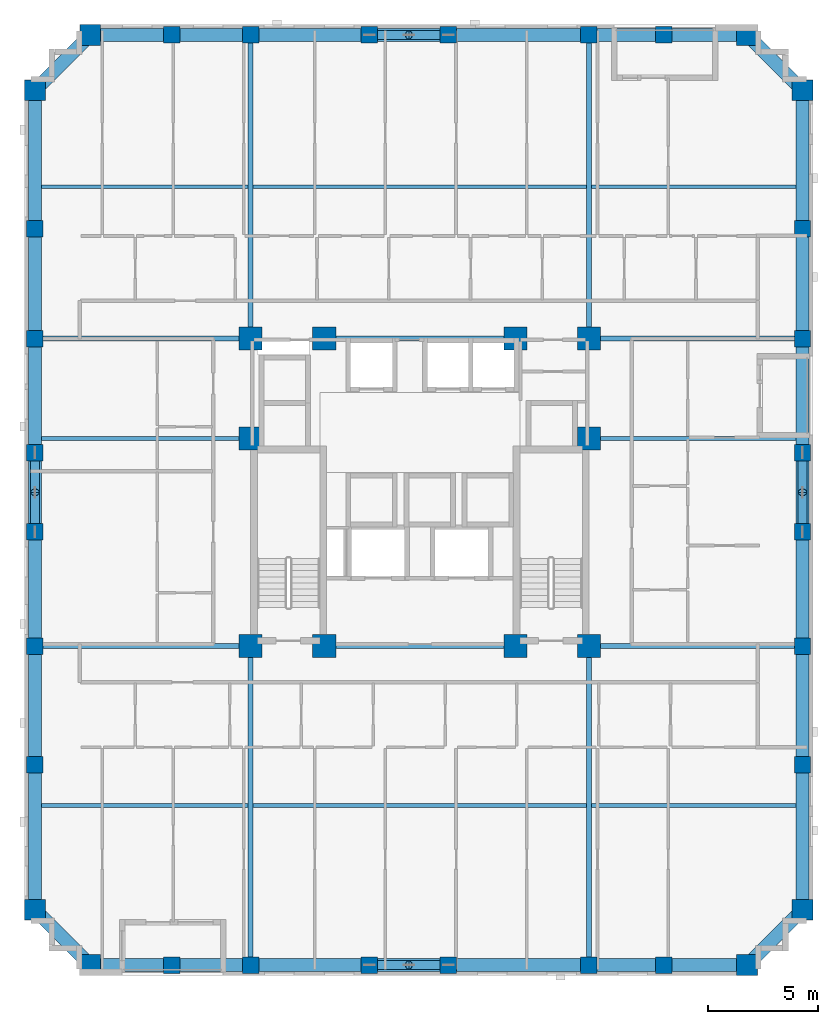
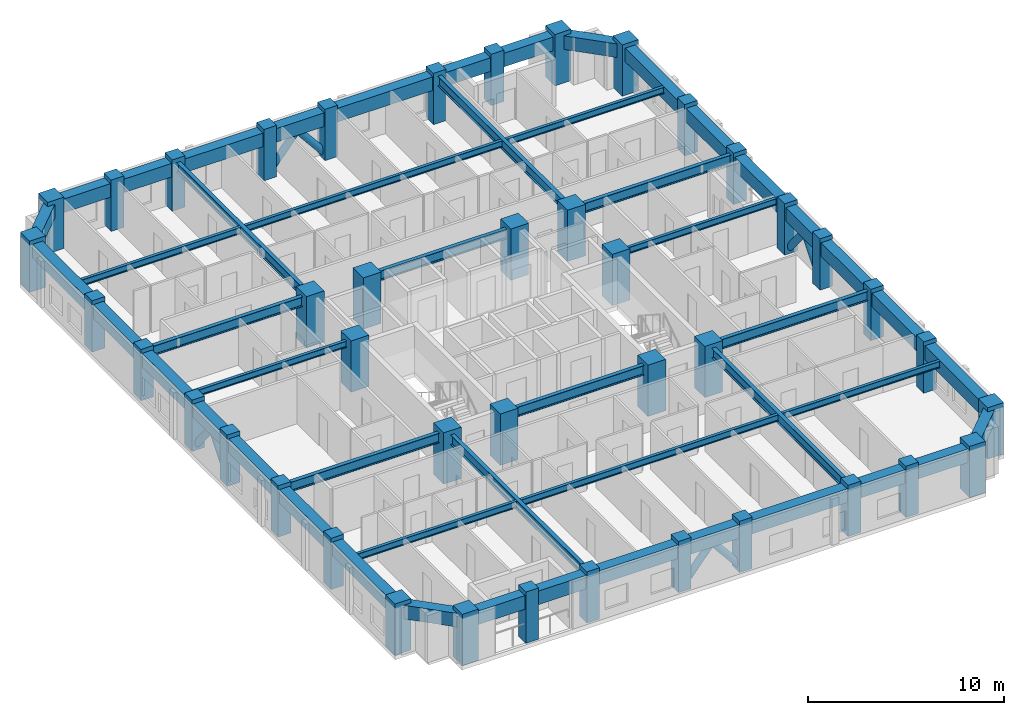
# One storey, part 1 of 13: 50 beams, 42 columns, 8 members.
"""IFC4 building model written with IfcOpenShell, lengths in metres."""

from ifc_helpers import new_model, si_unit, derived_unit, direction, frame, origin, origin_2d, place, context, subcontext, project, spatial, rectangle, hollow_circle, i_section, extrude, material, material_profile, profile_set, type_object, element, save


model = new_model("IFC4")

# Units and contexts
model_context = context("Model", 3, precision=1e-05, world=origin(), true_north=direction((0.0, 1.0)))
body_context = subcontext(model_context, "Body", "Model", "MODEL_VIEW")
ifc_project = project(units=[si_unit("LENGTHUNIT", "METRE"), si_unit("AREAUNIT", "SQUARE_METRE"), si_unit("VOLUMEUNIT", "CUBIC_METRE"), si_unit("PLANEANGLEUNIT", "RADIAN"), si_unit("MASSUNIT", "GRAM", prefix="KILO"), derived_unit("THERMALTRANSMITTANCEUNIT", [(si_unit("MASSUNIT", "GRAM", prefix="KILO"), 1), (si_unit("TIMEUNIT", "SECOND"), -3), (si_unit("THERMODYNAMICTEMPERATUREUNIT", "KELVIN"), -1)])], contexts=[model_context])

# Site, building, storey
site_placement = place(None, origin())
site = spatial("IfcSite", under=ifc_project, at=site_placement, CompositionType="ELEMENT")
building_placement = place(site_placement, origin())
building = spatial("IfcBuilding", under=site, at=building_placement, Name="Korrvale Station Residences", CompositionType="ELEMENT")
storey_placement = place(building_placement, frame((0.0, 0.0, 100.699951171875)))
storey = spatial("IfcBuildingStorey", under=building, at=storey_placement, Name="L28", CompositionType="ELEMENT", Elevation=100.699951171875)

# Columns
ifc_material_1 = material(Name="Concrete C60/75", Category="concrete")
ifc_material_profile_1 = material_profile(ifc_material_1, rectangle(XDim=1.050048828125, YDim=1.050048828125, at=origin_2d()), Name="RC1050x1050")
ifc_profile_set_1 = profile_set([ifc_material_profile_1], Name="Concrete C60/75")
column_type_1 = type_object("IfcColumnType", Name="COL-C-RC1050x1050-C6075", PredefinedType="COLUMN", material=ifc_profile_set_1)
for number, where, z_axis, x_axis, name in (
    (1, (17.800048828125, 15.0, 0.0), (0.0, 0.0, 1.0), (1.0, 0.0, 0.0), "L28 Core Column 01"),
    (2, (21.14990234375, 15.0, 0.0), (0.0, 0.0, 1.0), (1.0, 0.0, 0.0), "L28 Core Column 02"),
    (3, (29.85009765625, 15.0, 0.0), (0.0, 0.0, 1.0), (1.0, 0.0, 0.0), "L28 Core Column 03"),
    (4, (33.199951171875, 15.0, 0.0), (0.0, 0.0, 1.0), (1.0, 0.0, 0.0), "L28 Core Column 04"),
    (5, (17.800048828125, 29.0, 0.0), (0.0, 0.0, 1.0), (1.0, 0.0, 0.0), "L28 Core Column 05"),
    (6, (21.14990234375, 29.0, 0.0), (0.0, 0.0, 1.0), (1.0, 0.0, 0.0), "L28 Core Column 06"),
    (7, (29.85009765625, 29.0, 0.0), (0.0, 0.0, 1.0), (1.0, 0.0, 0.0), "L28 Core Column 07"),
    (8, (33.199951171875, 29.0, 0.0), (0.0, 0.0, 1.0), (1.0, 0.0, 0.0), "L28 Core Column 08"),
    (9, (17.800048828125, 24.449951171875, 0.0), (0.0, 0.0, 1.0), (1.0, 0.0, 0.0), "L28 Core Column 09"),
    (10, (33.199951171875, 24.449951171875, 0.0), (0.0, 0.0, 1.0), (1.0, 0.0, 0.0), "L28 Core Column 10"),
):
    element("IfcColumn", number, at=place(storey_placement, frame(where, z_axis=z_axis, x_axis=x_axis)), inside=storey, type_object=column_type_1, Name=name, PredefinedType="COLUMN", context=body_context, shape_type="SweptSolid", body=[
        extrude(rectangle(XDim=1.050048828125, YDim=1.050048828125, at=origin_2d()), origin(), (0.0, 0.0, 1.0), 3.199951171875),
    ])
ifc_material_profile_2 = material_profile(ifc_material_1, rectangle(XDim=0.75, YDim=0.75, at=origin_2d()), Name="RC750x750")
ifc_profile_set_2 = profile_set([ifc_material_profile_2], Name="Concrete C60/75")
column_type_2 = type_object("IfcColumnType", Name="COL-C-RC750x750-C6075", PredefinedType="COLUMN", material=ifc_profile_set_2)
for number, where, z_axis, x_axis, name in (
    (11, (14.199951171875, 0.47998046875, 0.0), (0.0, 0.0, 1.0), (1.0, 0.0, 0.0), "L28 Bundled-Tube South Column 02"),
    (12, (17.800048828125, 0.47998046875, 0.0), (0.0, 0.0, 1.0), (1.0, 0.0, 0.0), "L28 Bundled-Tube South Column 03"),
    (13, (23.199951171875, 0.47998046875, 0.0), (0.0, 0.0, 1.0), (1.0, 0.0, 0.0), "L28 Bundled-Tube South Column 04"),
    (14, (26.800048828125, 0.47998046875, 0.0), (0.0, 0.0, 1.0), (1.0, 0.0, 0.0), "L28 Bundled-Tube South Column 05"),
    (15, (33.199951171875, 0.47998046875, 0.0), (0.0, 0.0, 1.0), (1.0, 0.0, 0.0), "L28 Bundled-Tube South Column 06"),
    (16, (36.60009765625, 0.47998046875, 0.0), (0.0, 0.0, 1.0), (1.0, 0.0, 0.0), "L28 Bundled-Tube South Column 07"),
    (17, (14.199951171875, 42.820068359375, 0.0), (0.0, 0.0, 1.0), (1.0, 0.0, 0.0), "L28 Bundled-Tube North Column 10"),
    (18, (17.800048828125, 42.820068359375, 0.0), (0.0, 0.0, 1.0), (1.0, 0.0, 0.0), "L28 Bundled-Tube North Column 11"),
    (19, (23.199951171875, 42.820068359375, 0.0), (0.0, 0.0, 1.0), (1.0, 0.0, 0.0), "L28 Bundled-Tube North Column 12"),
    (20, (26.800048828125, 42.820068359375, 0.0), (0.0, 0.0, 1.0), (1.0, 0.0, 0.0), "L28 Bundled-Tube North Column 13"),
    (21, (33.199951171875, 42.820068359375, 0.0), (0.0, 0.0, 1.0), (1.0, 0.0, 0.0), "L28 Bundled-Tube North Column 14"),
    (22, (36.60009765625, 42.820068359375, 0.0), (0.0, 0.0, 1.0), (1.0, 0.0, 0.0), "L28 Bundled-Tube North Column 15"),
    (23, (7.97998046875, 9.60009765625, 0.0), (0.0, 0.0, 1.0), (1.0, 0.0, 0.0), "L28 Bundled-Tube West Column 18"),
    (24, (7.97998046875, 15.0, 0.0), (0.0, 0.0, 1.0), (1.0, 0.0, 0.0), "L28 Bundled-Tube West Column 19"),
    (25, (7.97998046875, 20.199951171875, 0.0), (0.0, 0.0, 1.0), (1.0, 0.0, 0.0), "L28 Bundled-Tube West Column 20"),
    (26, (7.97998046875, 23.800048828125, 0.0), (0.0, 0.0, 1.0), (1.0, 0.0, 0.0), "L28 Bundled-Tube West Column 21"),
    (27, (7.97998046875, 29.0, 0.0), (0.0, 0.0, 1.0), (1.0, 0.0, 0.0), "L28 Bundled-Tube West Column 22"),
    (28, (7.97998046875, 34.0, 0.0), (0.0, 0.0, 1.0), (1.0, 0.0, 0.0), "L28 Bundled-Tube West Column 23"),
    (29, (42.919921875, 9.60009765625, 0.0), (0.0, 0.0, 1.0), (1.0, 0.0, 0.0), "L28 Bundled-Tube East Column 26"),
    (30, (42.919921875, 15.0, 0.0), (0.0, 0.0, 1.0), (1.0, 0.0, 0.0), "L28 Bundled-Tube East Column 27"),
    (31, (42.919921875, 20.199951171875, 0.0), (0.0, 0.0, 1.0), (1.0, 0.0, 0.0), "L28 Bundled-Tube East Column 28"),
    (32, (42.919921875, 23.800048828125, 0.0), (0.0, 0.0, 1.0), (1.0, 0.0, 0.0), "L28 Bundled-Tube East Column 29"),
    (33, (42.919921875, 29.0, 0.0), (0.0, 0.0, 1.0), (1.0, 0.0, 0.0), "L28 Bundled-Tube East Column 30"),
    (34, (42.919921875, 34.0, 0.0), (0.0, 0.0, 1.0), (1.0, 0.0, 0.0), "L28 Bundled-Tube East Column 31"),
):
    element("IfcColumn", number, at=place(storey_placement, frame(where, z_axis=z_axis, x_axis=x_axis)), inside=storey, type_object=column_type_2, Name=name, PredefinedType="COLUMN", context=body_context, shape_type="SweptSolid", body=[
        extrude(rectangle(XDim=0.75, YDim=0.75, at=origin_2d()), origin(), (0.0, 0.0, 1.0), 3.199951171875),
    ])
ifc_material_profile_3 = material_profile(ifc_material_1, rectangle(XDim=0.949951171875, YDim=0.949951171875, at=origin_2d()), Name="RC950x950")
ifc_profile_set_3 = profile_set([ifc_material_profile_3], Name="Concrete C60/75")
column_type_3 = type_object("IfcColumnType", Name="COL-C-RC950x950-C6075", PredefinedType="COLUMN", material=ifc_profile_set_3)
for number, where, z_axis, x_axis, name in (
    (35, (10.5, 0.47998046875, 0.0), (0.0, 0.0, 1.0), (1.0, 0.0, 0.0), "L28 Bundled-Tube South Column 01"),
    (36, (40.39990234375, 0.47998046875, 0.0), (0.0, 0.0, 1.0), (1.0, 0.0, 0.0), "L28 Bundled-Tube South Column 08"),
    (37, (10.5, 42.820068359375, 0.0), (0.0, 0.0, 1.0), (1.0, 0.0, 0.0), "L28 Bundled-Tube North Column 09"),
    (38, (40.39990234375, 42.820068359375, 0.0), (0.0, 0.0, 1.0), (1.0, 0.0, 0.0), "L28 Bundled-Tube North Column 16"),
    (39, (7.97998046875, 3.0, 0.0), (0.0, 0.0, 1.0), (1.0, 0.0, 0.0), "L28 Bundled-Tube West Column 17"),
    (40, (7.97998046875, 40.300048828125, 0.0), (0.0, 0.0, 1.0), (1.0, 0.0, 0.0), "L28 Bundled-Tube West Column 24"),
    (41, (42.919921875, 3.0, 0.0), (0.0, 0.0, 1.0), (1.0, 0.0, 0.0), "L28 Bundled-Tube East Column 25"),
    (42, (42.919921875, 40.300048828125, 0.0), (0.0, 0.0, 1.0), (1.0, 0.0, 0.0), "L28 Bundled-Tube East Column 32"),
):
    element("IfcColumn", number, at=place(storey_placement, frame(where, z_axis=z_axis, x_axis=x_axis)), inside=storey, type_object=column_type_3, Name=name, PredefinedType="COLUMN", context=body_context, shape_type="SweptSolid", body=[
        extrude(rectangle(XDim=0.949951171875, YDim=0.949951171875, at=origin_2d()), origin(), (0.0, 0.0, 1.0), 3.199951171875),
    ])

# Beams
ifc_material_2 = material(Name="Steel S355", Category="steel")
ifc_material_profile_4 = material_profile(ifc_material_2, i_section(OverallWidth=0.22900390625, OverallDepth=0.612060546875, WebThickness=0.011962890625, FlangeThickness=0.01953125, FilletRadius=0.01904296875, at=origin_2d()), Name="W610x125")
ifc_profile_set_4 = profile_set([ifc_material_profile_4], Name="Steel S355")
beam_type_1 = type_object("IfcBeamType", Name="BM-BM-W610x125-S355", PredefinedType="BEAM", material=ifc_profile_set_4)
for number, where, z_axis, x_axis, name in (
    (43, (17.800048828125, 0.47998046875, 2.634033203125), (0.0, 1.0, 0.0), (-1.0, 0.0, 0.0), "L28 Bundled-Tube Web Girder 01"),
    (44, (33.199951171875, 0.47998046875, 2.634033203125), (0.0, 1.0, 0.0), (-1.0, 0.0, 0.0), "L28 Bundled-Tube Web Girder 02"),
):
    element("IfcBeam", number, at=place(storey_placement, frame(where, z_axis=z_axis, x_axis=x_axis)), inside=storey, type_object=beam_type_1, Name=name, PredefinedType="BEAM", context=body_context, shape_type="SweptSolid", body=[
        extrude(i_section(OverallWidth=0.22900390625, OverallDepth=0.612060546875, WebThickness=0.011962890625, FlangeThickness=0.01953125, FilletRadius=0.01904296875, at=origin_2d()), origin(), (0.0, 0.0, 1.0), 14.52001953125),
    ])
for number, where, z_axis, x_axis, name in (
    (45, (17.800048828125, 29.0, 2.634033203125), (0.0, 1.0, 0.0), (-1.0, 0.0, 0.0), "L28 Bundled-Tube Web Girder 03"),
    (46, (33.199951171875, 29.0, 2.634033203125), (0.0, 1.0, 0.0), (-1.0, 0.0, 0.0), "L28 Bundled-Tube Web Girder 04"),
):
    element("IfcBeam", number, at=place(storey_placement, frame(where, z_axis=z_axis, x_axis=x_axis)), inside=storey, type_object=beam_type_1, Name=name, PredefinedType="BEAM", context=body_context, shape_type="SweptSolid", body=[
        extrude(i_section(OverallWidth=0.22900390625, OverallDepth=0.612060546875, WebThickness=0.011962890625, FlangeThickness=0.01953125, FilletRadius=0.01904296875, at=origin_2d()), origin(), (0.0, 0.0, 1.0), 13.820068359375),
    ])
beam_1_placement = place(storey_placement, frame((7.97998046875, 15.0, 2.634033203125), z_axis=(1.0, 0.0, 0.0), x_axis=(0.0, 1.0, 0.0)))
element("IfcBeam", 47, at=beam_1_placement, inside=storey, type_object=beam_type_1, Name="L28 Bundled-Tube Web Girder 05", PredefinedType="BEAM", context=body_context, shape_type="SweptSolid", body=[
    extrude(i_section(OverallWidth=0.22900390625, OverallDepth=0.612060546875, WebThickness=0.011962890625, FlangeThickness=0.01953125, FilletRadius=0.01904296875, at=origin_2d()), origin(), (0.0, 0.0, 1.0), 9.820068359375),
])
beam_2_placement = place(storey_placement, frame((33.199951171875, 15.0, 2.634033203125), z_axis=(1.0, 0.0, 0.0), x_axis=(0.0, 1.0, 0.0)))
element("IfcBeam", 48, at=beam_2_placement, inside=storey, type_object=beam_type_1, Name="L28 Bundled-Tube Web Girder 06", PredefinedType="BEAM", context=body_context, shape_type="SweptSolid", body=[
    extrude(i_section(OverallWidth=0.22900390625, OverallDepth=0.612060546875, WebThickness=0.011962890625, FlangeThickness=0.01953125, FilletRadius=0.01904296875, at=origin_2d()), origin(), (0.0, 0.0, 1.0), 9.719970703125),
])
beam_3_placement = place(storey_placement, frame((7.97998046875, 29.0, 2.634033203125), z_axis=(1.0, 0.0, 0.0), x_axis=(0.0, 1.0, 0.0)))
element("IfcBeam", 49, at=beam_3_placement, inside=storey, type_object=beam_type_1, Name="L28 Bundled-Tube Web Girder 07", PredefinedType="BEAM", context=body_context, shape_type="SweptSolid", body=[
    extrude(i_section(OverallWidth=0.22900390625, OverallDepth=0.612060546875, WebThickness=0.011962890625, FlangeThickness=0.01953125, FilletRadius=0.01904296875, at=origin_2d()), origin(), (0.0, 0.0, 1.0), 9.820068359375),
])
beam_4_placement = place(storey_placement, frame((33.199951171875, 29.0, 2.634033203125), z_axis=(1.0, 0.0, 0.0), x_axis=(0.0, 1.0, 0.0)))
element("IfcBeam", 50, at=beam_4_placement, inside=storey, type_object=beam_type_1, Name="L28 Bundled-Tube Web Girder 08", PredefinedType="BEAM", context=body_context, shape_type="SweptSolid", body=[
    extrude(i_section(OverallWidth=0.22900390625, OverallDepth=0.612060546875, WebThickness=0.011962890625, FlangeThickness=0.01953125, FilletRadius=0.01904296875, at=origin_2d()), origin(), (0.0, 0.0, 1.0), 9.719970703125),
])
for number, where, z_axis, x_axis, name in (
    (51, (21.14990234375, 15.0, 2.634033203125), (1.0, 0.0, 0.0), (0.0, 1.0, 0.0), "L28 Bundled-Tube Web Girder 09"),
    (52, (21.14990234375, 29.0, 2.634033203125), (1.0, 0.0, 0.0), (0.0, 1.0, 0.0), "L28 Bundled-Tube Web Girder 10"),
):
    element("IfcBeam", number, at=place(storey_placement, frame(where, z_axis=z_axis, x_axis=x_axis)), inside=storey, type_object=beam_type_1, Name=name, PredefinedType="BEAM", context=body_context, shape_type="SweptSolid", body=[
        extrude(i_section(OverallWidth=0.22900390625, OverallDepth=0.612060546875, WebThickness=0.011962890625, FlangeThickness=0.01953125, FilletRadius=0.01904296875, at=origin_2d()), origin(), (0.0, 0.0, 1.0), 8.7001953125),
    ])
ifc_material_profile_5 = material_profile(ifc_material_2, i_section(OverallWidth=0.177978515625, OverallDepth=0.406982421875, WebThickness=0.0078125, FlangeThickness=0.0126953125, FilletRadius=0.01611328125, at=origin_2d()), Name="W410x60")
ifc_profile_set_5 = profile_set([ifc_material_profile_5], Name="Steel S355")
beam_type_2 = type_object("IfcBeamType", Name="BM-JST-W410x60-S355", PredefinedType="JOIST", material=ifc_profile_set_5)
beam_5_placement = place(storey_placement, frame((8.280029296875, 7.739990234375, 2.736572265625), z_axis=(1.0, 0.0, 0.0), x_axis=(0.0, 1.0, 0.0)))
element("IfcBeam", 53, at=beam_5_placement, inside=storey, type_object=beam_type_2, Name="L28 Floor Framing Joist 01", PredefinedType="JOIST", context=body_context, shape_type="SweptSolid", body=[
    extrude(i_section(OverallWidth=0.177978515625, OverallDepth=0.406982421875, WebThickness=0.0078125, FlangeThickness=0.0126953125, FilletRadius=0.01611328125, at=origin_2d()), origin(), (0.0, 0.0, 1.0), 9.405517578125),
])
beam_6_placement = place(storey_placement, frame((17.91455078125, 7.739990234375, 2.736572265625), z_axis=(1.0, 0.0, 0.0), x_axis=(0.0, 1.0, 0.0)))
element("IfcBeam", 54, at=beam_6_placement, inside=storey, type_object=beam_type_2, Name="L28 Floor Framing Joist 02", PredefinedType="JOIST", context=body_context, shape_type="SweptSolid", body=[
    extrude(i_section(OverallWidth=0.177978515625, OverallDepth=0.406982421875, WebThickness=0.0078125, FlangeThickness=0.0126953125, FilletRadius=0.01611328125, at=origin_2d()), origin(), (0.0, 0.0, 1.0), 15.1708984375),
])
beam_7_placement = place(storey_placement, frame((33.314453125, 7.739990234375, 2.736572265625), z_axis=(1.0, 0.0, 0.0), x_axis=(0.0, 1.0, 0.0)))
element("IfcBeam", 55, at=beam_7_placement, inside=storey, type_object=beam_type_2, Name="L28 Floor Framing Joist 03", PredefinedType="JOIST", context=body_context, shape_type="SweptSolid", body=[
    extrude(i_section(OverallWidth=0.177978515625, OverallDepth=0.406982421875, WebThickness=0.0078125, FlangeThickness=0.0126953125, FilletRadius=0.01611328125, at=origin_2d()), origin(), (0.0, 0.0, 1.0), 9.3056640625),
])
beam_8_placement = place(storey_placement, frame((8.280029296875, 35.909912109375, 2.736572265625), z_axis=(1.0, 0.0, 0.0), x_axis=(0.0, 1.0, 0.0)))
element("IfcBeam", 56, at=beam_8_placement, inside=storey, type_object=beam_type_2, Name="L28 Floor Framing Joist 04", PredefinedType="JOIST", context=body_context, shape_type="SweptSolid", body=[
    extrude(i_section(OverallWidth=0.177978515625, OverallDepth=0.406982421875, WebThickness=0.0078125, FlangeThickness=0.0126953125, FilletRadius=0.01611328125, at=origin_2d()), origin(), (0.0, 0.0, 1.0), 9.405517578125),
])
beam_9_placement = place(storey_placement, frame((17.91455078125, 35.909912109375, 2.736572265625), z_axis=(1.0, 0.0, 0.0), x_axis=(0.0, 1.0, 0.0)))
element("IfcBeam", 57, at=beam_9_placement, inside=storey, type_object=beam_type_2, Name="L28 Floor Framing Joist 05", PredefinedType="JOIST", context=body_context, shape_type="SweptSolid", body=[
    extrude(i_section(OverallWidth=0.177978515625, OverallDepth=0.406982421875, WebThickness=0.0078125, FlangeThickness=0.0126953125, FilletRadius=0.01611328125, at=origin_2d()), origin(), (0.0, 0.0, 1.0), 15.1708984375),
])
beam_10_placement = place(storey_placement, frame((33.314453125, 35.909912109375, 2.736572265625), z_axis=(1.0, 0.0, 0.0), x_axis=(0.0, 1.0, 0.0)))
element("IfcBeam", 58, at=beam_10_placement, inside=storey, type_object=beam_type_2, Name="L28 Floor Framing Joist 06", PredefinedType="JOIST", context=body_context, shape_type="SweptSolid", body=[
    extrude(i_section(OverallWidth=0.177978515625, OverallDepth=0.406982421875, WebThickness=0.0078125, FlangeThickness=0.0126953125, FilletRadius=0.01611328125, at=origin_2d()), origin(), (0.0, 0.0, 1.0), 9.3056640625),
])
beam_11_placement = place(storey_placement, frame((33.199951171875, 24.449951171875, 2.736572265625), z_axis=(1.0, 0.0, 0.0), x_axis=(0.0, 1.0, 0.0)))
element("IfcBeam", 59, at=beam_11_placement, inside=storey, type_object=beam_type_2, Name="L28 Floor Framing Joist 07", PredefinedType="JOIST", context=body_context, shape_type="SweptSolid", body=[
    extrude(i_section(OverallWidth=0.177978515625, OverallDepth=0.406982421875, WebThickness=0.0078125, FlangeThickness=0.0126953125, FilletRadius=0.01611328125, at=origin_2d()), origin(), (0.0, 0.0, 1.0), 9.420166015625),
])
beam_12_placement = place(storey_placement, frame((8.280029296875, 24.449951171875, 2.736572265625), z_axis=(1.0, 0.0, 0.0), x_axis=(0.0, 1.0, 0.0)))
element("IfcBeam", 60, at=beam_12_placement, inside=storey, type_object=beam_type_2, Name="L28 Floor Framing Joist 08", PredefinedType="JOIST", context=body_context, shape_type="SweptSolid", body=[
    extrude(i_section(OverallWidth=0.177978515625, OverallDepth=0.406982421875, WebThickness=0.0078125, FlangeThickness=0.0126953125, FilletRadius=0.01611328125, at=origin_2d()), origin(), (0.0, 0.0, 1.0), 9.52001953125),
])
ifc_material_profile_6 = material_profile(ifc_material_1, rectangle(XDim=0.60009765625, YDim=0.85009765625, at=origin_2d()), Name="RCB600x850")
ifc_profile_set_6 = profile_set([ifc_material_profile_6], Name="Concrete C60/75")
beam_type_3 = type_object("IfcBeamType", Name="BM-SPB-RCB600x850-C6075", PredefinedType="SPANDREL", material=ifc_profile_set_6)
beam_13_placement = place(storey_placement, frame((10.5, 0.47998046875, 2.51513671875), z_axis=(1.0, 0.0, 0.0), x_axis=(0.0, 1.0, 0.0)))
element("IfcBeam", 61, at=beam_13_placement, inside=storey, type_object=beam_type_3, Name="L28 South Tube Spandrel 01", PredefinedType="SPANDREL", context=body_context, shape_type="SweptSolid", body=[
    extrude(rectangle(XDim=0.60009765625, YDim=0.85009765625, at=origin_2d()), origin(), (0.0, 0.0, 1.0), 3.699951171875),
])
beam_14_placement = place(storey_placement, frame((14.199951171875, 0.47998046875, 2.51513671875), z_axis=(1.0, 0.0, 0.0), x_axis=(0.0, 1.0, 0.0)))
element("IfcBeam", 62, at=beam_14_placement, inside=storey, type_object=beam_type_3, Name="L28 South Tube Spandrel 02", PredefinedType="SPANDREL", context=body_context, shape_type="SweptSolid", body=[
    extrude(rectangle(XDim=0.60009765625, YDim=0.85009765625, at=origin_2d()), origin(), (0.0, 0.0, 1.0), 3.60009765625),
])
beam_15_placement = place(storey_placement, frame((17.800048828125, 0.47998046875, 2.51513671875), z_axis=(1.0, 0.0, 0.0), x_axis=(0.0, 1.0, 0.0)))
element("IfcBeam", 63, at=beam_15_placement, inside=storey, type_object=beam_type_3, Name="L28 South Tube Spandrel 03", PredefinedType="SPANDREL", context=body_context, shape_type="SweptSolid", body=[
    extrude(rectangle(XDim=0.60009765625, YDim=0.85009765625, at=origin_2d()), origin(), (0.0, 0.0, 1.0), 5.39990234375),
])
beam_16_placement = place(storey_placement, frame((23.199951171875, 0.47998046875, 2.51513671875), z_axis=(1.0, 0.0, 0.0), x_axis=(0.0, 1.0, 0.0)))
element("IfcBeam", 64, at=beam_16_placement, inside=storey, type_object=beam_type_3, Name="L28 South Tube Spandrel 04", PredefinedType="SPANDREL", context=body_context, shape_type="SweptSolid", body=[
    extrude(rectangle(XDim=0.60009765625, YDim=0.85009765625, at=origin_2d()), origin(), (0.0, 0.0, 1.0), 3.60009765625),
])
beam_17_placement = place(storey_placement, frame((26.800048828125, 0.47998046875, 2.51513671875), z_axis=(1.0, 0.0, 0.0), x_axis=(0.0, 1.0, 0.0)))
element("IfcBeam", 65, at=beam_17_placement, inside=storey, type_object=beam_type_3, Name="L28 South Tube Spandrel 05", PredefinedType="SPANDREL", context=body_context, shape_type="SweptSolid", body=[
    extrude(rectangle(XDim=0.60009765625, YDim=0.85009765625, at=origin_2d()), origin(), (0.0, 0.0, 1.0), 6.39990234375),
])
beam_18_placement = place(storey_placement, frame((33.199951171875, 0.47998046875, 2.51513671875), z_axis=(1.0, 0.0, 0.0), x_axis=(0.0, 1.0, 0.0)))
element("IfcBeam", 66, at=beam_18_placement, inside=storey, type_object=beam_type_3, Name="L28 South Tube Spandrel 06", PredefinedType="SPANDREL", context=body_context, shape_type="SweptSolid", body=[
    extrude(rectangle(XDim=0.60009765625, YDim=0.85009765625, at=origin_2d()), origin(), (0.0, 0.0, 1.0), 3.400146484375),
])
beam_19_placement = place(storey_placement, frame((36.60009765625, 0.47998046875, 2.51513671875), z_axis=(1.0, 0.0, 0.0), x_axis=(0.0, 1.0, 0.0)))
element("IfcBeam", 67, at=beam_19_placement, inside=storey, type_object=beam_type_3, Name="L28 South Tube Spandrel 07", PredefinedType="SPANDREL", context=body_context, shape_type="SweptSolid", body=[
    extrude(rectangle(XDim=0.60009765625, YDim=0.85009765625, at=origin_2d()), origin(), (0.0, 0.0, 1.0), 3.7998046875),
])
beam_20_placement = place(storey_placement, frame((10.5, 42.820068359375, 2.51513671875), z_axis=(1.0, 0.0, 0.0), x_axis=(0.0, 1.0, 0.0)))
element("IfcBeam", 68, at=beam_20_placement, inside=storey, type_object=beam_type_3, Name="L28 North Tube Spandrel 08", PredefinedType="SPANDREL", context=body_context, shape_type="SweptSolid", body=[
    extrude(rectangle(XDim=0.60009765625, YDim=0.85009765625, at=origin_2d()), origin(), (0.0, 0.0, 1.0), 3.699951171875),
])
beam_21_placement = place(storey_placement, frame((14.199951171875, 42.820068359375, 2.51513671875), z_axis=(1.0, 0.0, 0.0), x_axis=(0.0, 1.0, 0.0)))
element("IfcBeam", 69, at=beam_21_placement, inside=storey, type_object=beam_type_3, Name="L28 North Tube Spandrel 09", PredefinedType="SPANDREL", context=body_context, shape_type="SweptSolid", body=[
    extrude(rectangle(XDim=0.60009765625, YDim=0.85009765625, at=origin_2d()), origin(), (0.0, 0.0, 1.0), 3.60009765625),
])
beam_22_placement = place(storey_placement, frame((17.800048828125, 42.820068359375, 2.51513671875), z_axis=(1.0, 0.0, 0.0), x_axis=(0.0, 1.0, 0.0)))
element("IfcBeam", 70, at=beam_22_placement, inside=storey, type_object=beam_type_3, Name="L28 North Tube Spandrel 10", PredefinedType="SPANDREL", context=body_context, shape_type="SweptSolid", body=[
    extrude(rectangle(XDim=0.60009765625, YDim=0.85009765625, at=origin_2d()), origin(), (0.0, 0.0, 1.0), 5.39990234375),
])
beam_23_placement = place(storey_placement, frame((23.199951171875, 42.820068359375, 2.51513671875), z_axis=(1.0, 0.0, 0.0), x_axis=(0.0, 1.0, 0.0)))
element("IfcBeam", 71, at=beam_23_placement, inside=storey, type_object=beam_type_3, Name="L28 North Tube Spandrel 11", PredefinedType="SPANDREL", context=body_context, shape_type="SweptSolid", body=[
    extrude(rectangle(XDim=0.60009765625, YDim=0.85009765625, at=origin_2d()), origin(), (0.0, 0.0, 1.0), 3.60009765625),
])
beam_24_placement = place(storey_placement, frame((26.800048828125, 42.820068359375, 2.51513671875), z_axis=(1.0, 0.0, 0.0), x_axis=(0.0, 1.0, 0.0)))
element("IfcBeam", 72, at=beam_24_placement, inside=storey, type_object=beam_type_3, Name="L28 North Tube Spandrel 12", PredefinedType="SPANDREL", context=body_context, shape_type="SweptSolid", body=[
    extrude(rectangle(XDim=0.60009765625, YDim=0.85009765625, at=origin_2d()), origin(), (0.0, 0.0, 1.0), 6.39990234375),
])
beam_25_placement = place(storey_placement, frame((33.199951171875, 42.820068359375, 2.51513671875), z_axis=(1.0, 0.0, 0.0), x_axis=(0.0, 1.0, 0.0)))
element("IfcBeam", 73, at=beam_25_placement, inside=storey, type_object=beam_type_3, Name="L28 North Tube Spandrel 13", PredefinedType="SPANDREL", context=body_context, shape_type="SweptSolid", body=[
    extrude(rectangle(XDim=0.60009765625, YDim=0.85009765625, at=origin_2d()), origin(), (0.0, 0.0, 1.0), 3.400146484375),
])
beam_26_placement = place(storey_placement, frame((36.60009765625, 42.820068359375, 2.51513671875), z_axis=(1.0, 0.0, 0.0), x_axis=(0.0, 1.0, 0.0)))
element("IfcBeam", 74, at=beam_26_placement, inside=storey, type_object=beam_type_3, Name="L28 North Tube Spandrel 14", PredefinedType="SPANDREL", context=body_context, shape_type="SweptSolid", body=[
    extrude(rectangle(XDim=0.60009765625, YDim=0.85009765625, at=origin_2d()), origin(), (0.0, 0.0, 1.0), 3.7998046875),
])
beam_27_placement = place(storey_placement, frame((7.97998046875, 3.0, 2.51513671875), z_axis=(0.0, 1.0, 0.0), x_axis=(-1.0, 0.0, 0.0)))
element("IfcBeam", 75, at=beam_27_placement, inside=storey, type_object=beam_type_3, Name="L28 West Tube Spandrel 15", PredefinedType="SPANDREL", context=body_context, shape_type="SweptSolid", body=[
    extrude(rectangle(XDim=0.60009765625, YDim=0.85009765625, at=origin_2d()), origin(), (0.0, 0.0, 1.0), 6.60009765625),
])
beam_28_placement = place(storey_placement, frame((7.97998046875, 9.60009765625, 2.51513671875), z_axis=(0.0, 1.0, 0.0), x_axis=(-1.0, 0.0, 0.0)))
element("IfcBeam", 76, at=beam_28_placement, inside=storey, type_object=beam_type_3, Name="L28 West Tube Spandrel 16", PredefinedType="SPANDREL", context=body_context, shape_type="SweptSolid", body=[
    extrude(rectangle(XDim=0.60009765625, YDim=0.85009765625, at=origin_2d()), origin(), (0.0, 0.0, 1.0), 5.39990234375),
])
beam_29_placement = place(storey_placement, frame((7.97998046875, 15.0, 2.51513671875), z_axis=(0.0, 1.0, 0.0), x_axis=(-1.0, 0.0, 0.0)))
element("IfcBeam", 77, at=beam_29_placement, inside=storey, type_object=beam_type_3, Name="L28 West Tube Spandrel 17", PredefinedType="SPANDREL", context=body_context, shape_type="SweptSolid", body=[
    extrude(rectangle(XDim=0.60009765625, YDim=0.85009765625, at=origin_2d()), origin(), (0.0, 0.0, 1.0), 5.199951171875),
])
beam_30_placement = place(storey_placement, frame((7.97998046875, 20.199951171875, 2.51513671875), z_axis=(0.0, 1.0, 0.0), x_axis=(-1.0, 0.0, 0.0)))
element("IfcBeam", 78, at=beam_30_placement, inside=storey, type_object=beam_type_3, Name="L28 West Tube Spandrel 18", PredefinedType="SPANDREL", context=body_context, shape_type="SweptSolid", body=[
    extrude(rectangle(XDim=0.60009765625, YDim=0.85009765625, at=origin_2d()), origin(), (0.0, 0.0, 1.0), 3.60009765625),
])
beam_31_placement = place(storey_placement, frame((7.97998046875, 23.800048828125, 2.51513671875), z_axis=(0.0, 1.0, 0.0), x_axis=(-1.0, 0.0, 0.0)))
element("IfcBeam", 79, at=beam_31_placement, inside=storey, type_object=beam_type_3, Name="L28 West Tube Spandrel 19", PredefinedType="SPANDREL", context=body_context, shape_type="SweptSolid", body=[
    extrude(rectangle(XDim=0.60009765625, YDim=0.85009765625, at=origin_2d()), origin(), (0.0, 0.0, 1.0), 5.199951171875),
])
beam_32_placement = place(storey_placement, frame((7.97998046875, 29.0, 2.51513671875), z_axis=(0.0, 1.0, 0.0), x_axis=(-1.0, 0.0, 0.0)))
element("IfcBeam", 80, at=beam_32_placement, inside=storey, type_object=beam_type_3, Name="L28 West Tube Spandrel 20", PredefinedType="SPANDREL", context=body_context, shape_type="SweptSolid", body=[
    extrude(rectangle(XDim=0.60009765625, YDim=0.85009765625, at=origin_2d()), origin(), (0.0, 0.0, 1.0), 5.0),
])
beam_33_placement = place(storey_placement, frame((7.97998046875, 34.0, 2.51513671875), z_axis=(0.0, 1.0, 0.0), x_axis=(-1.0, 0.0, 0.0)))
element("IfcBeam", 81, at=beam_33_placement, inside=storey, type_object=beam_type_3, Name="L28 West Tube Spandrel 21", PredefinedType="SPANDREL", context=body_context, shape_type="SweptSolid", body=[
    extrude(rectangle(XDim=0.60009765625, YDim=0.85009765625, at=origin_2d()), origin(), (0.0, 0.0, 1.0), 6.300048828125),
])
beam_34_placement = place(storey_placement, frame((42.919921875, 3.0, 2.51513671875), z_axis=(0.0, 1.0, 0.0), x_axis=(-1.0, 0.0, 0.0)))
element("IfcBeam", 82, at=beam_34_placement, inside=storey, type_object=beam_type_3, Name="L28 East Tube Spandrel 22", PredefinedType="SPANDREL", context=body_context, shape_type="SweptSolid", body=[
    extrude(rectangle(XDim=0.60009765625, YDim=0.85009765625, at=origin_2d()), origin(), (0.0, 0.0, 1.0), 6.60009765625),
])
beam_35_placement = place(storey_placement, frame((42.919921875, 9.60009765625, 2.51513671875), z_axis=(0.0, 1.0, 0.0), x_axis=(-1.0, 0.0, 0.0)))
element("IfcBeam", 83, at=beam_35_placement, inside=storey, type_object=beam_type_3, Name="L28 East Tube Spandrel 23", PredefinedType="SPANDREL", context=body_context, shape_type="SweptSolid", body=[
    extrude(rectangle(XDim=0.60009765625, YDim=0.85009765625, at=origin_2d()), origin(), (0.0, 0.0, 1.0), 5.39990234375),
])
beam_36_placement = place(storey_placement, frame((42.919921875, 15.0, 2.51513671875), z_axis=(0.0, 1.0, 0.0), x_axis=(-1.0, 0.0, 0.0)))
element("IfcBeam", 84, at=beam_36_placement, inside=storey, type_object=beam_type_3, Name="L28 East Tube Spandrel 24", PredefinedType="SPANDREL", context=body_context, shape_type="SweptSolid", body=[
    extrude(rectangle(XDim=0.60009765625, YDim=0.85009765625, at=origin_2d()), origin(), (0.0, 0.0, 1.0), 5.199951171875),
])
beam_37_placement = place(storey_placement, frame((42.919921875, 20.199951171875, 2.51513671875), z_axis=(0.0, 1.0, 0.0), x_axis=(-1.0, 0.0, 0.0)))
element("IfcBeam", 85, at=beam_37_placement, inside=storey, type_object=beam_type_3, Name="L28 East Tube Spandrel 25", PredefinedType="SPANDREL", context=body_context, shape_type="SweptSolid", body=[
    extrude(rectangle(XDim=0.60009765625, YDim=0.85009765625, at=origin_2d()), origin(), (0.0, 0.0, 1.0), 3.60009765625),
])
beam_38_placement = place(storey_placement, frame((42.919921875, 23.800048828125, 2.51513671875), z_axis=(0.0, 1.0, 0.0), x_axis=(-1.0, 0.0, 0.0)))
element("IfcBeam", 86, at=beam_38_placement, inside=storey, type_object=beam_type_3, Name="L28 East Tube Spandrel 26", PredefinedType="SPANDREL", context=body_context, shape_type="SweptSolid", body=[
    extrude(rectangle(XDim=0.60009765625, YDim=0.85009765625, at=origin_2d()), origin(), (0.0, 0.0, 1.0), 5.199951171875),
])
beam_39_placement = place(storey_placement, frame((42.919921875, 29.0, 2.51513671875), z_axis=(0.0, 1.0, 0.0), x_axis=(-1.0, 0.0, 0.0)))
element("IfcBeam", 87, at=beam_39_placement, inside=storey, type_object=beam_type_3, Name="L28 East Tube Spandrel 27", PredefinedType="SPANDREL", context=body_context, shape_type="SweptSolid", body=[
    extrude(rectangle(XDim=0.60009765625, YDim=0.85009765625, at=origin_2d()), origin(), (0.0, 0.0, 1.0), 5.0),
])
beam_40_placement = place(storey_placement, frame((42.919921875, 34.0, 2.51513671875), z_axis=(0.0, 1.0, 0.0), x_axis=(-1.0, 0.0, 0.0)))
element("IfcBeam", 88, at=beam_40_placement, inside=storey, type_object=beam_type_3, Name="L28 East Tube Spandrel 28", PredefinedType="SPANDREL", context=body_context, shape_type="SweptSolid", body=[
    extrude(rectangle(XDim=0.60009765625, YDim=0.85009765625, at=origin_2d()), origin(), (0.0, 0.0, 1.0), 6.300048828125),
])
for number, where, z_axis, x_axis, name in (
    (89, (10.5, 0.47998046875, 2.51513671875), (-0.707106781187, 0.707106781187, 0.0), (-0.707106781187, -0.707106781187, 0.0), "L28 Serrated Corner Spandrel 29"),
    (90, (40.39990234375, 0.47998046875, 2.51513671875), (0.707106781187, 0.707106781187, 0.0), (-0.707106781187, 0.707106781187, 0.0), "L28 Serrated Corner Spandrel 30"),
    (91, (40.39990234375, 42.820068359375, 2.51513671875), (0.707106781187, -0.707106781187, 0.0), (0.707106781187, 0.707106781187, 0.0), "L28 Serrated Corner Spandrel 31"),
    (92, (10.5, 42.820068359375, 2.51513671875), (-0.707106781187, -0.707106781187, 0.0), (0.707106781187, -0.707106781187, 0.0), "L28 Serrated Corner Spandrel 32"),
):
    element("IfcBeam", number, at=place(storey_placement, frame(where, z_axis=z_axis, x_axis=x_axis)), inside=storey, type_object=beam_type_3, Name=name, PredefinedType="SPANDREL", context=body_context, shape_type="SweptSolid", body=[
        extrude(rectangle(XDim=0.60009765625, YDim=0.85009765625, at=origin_2d()), origin(), (0.0, 0.0, 1.0), 3.56396484375),
    ])

# Members
ifc_material_profile_7 = material_profile(ifc_material_2, hollow_circle(Radius=0.203125, WallThickness=0.015869140625, at=origin_2d()), Name="HSS406x16")
ifc_profile_set_7 = profile_set([ifc_material_profile_7], Name="Steel S355")
member_type = type_object("IfcMemberType", Name="MBR-BR-HSS406x16", PredefinedType="BRACE", material=ifc_profile_set_7)
for number, where, z_axis, x_axis, name in (
    (93, (23.199951171875, 0.47998046875, 0.02001953125), (0.634985494602, 0.0, 0.772524058942), (0.0, 1.0, 0.0), "L28 S Perimeter Tube Wind Brace 1"),
    (94, (26.800048828125, 0.47998046875, 0.02001953125), (-0.634985494602, 0.0, 0.772524058942), (0.0, -1.0, 0.0), "L28 S Perimeter Tube Wind Brace 2"),
    (95, (23.199951171875, 42.820068359375, 0.02001953125), (0.634985494602, 0.0, 0.772524058942), (0.0, 1.0, 0.0), "L28 N Perimeter Tube Wind Brace 1"),
    (96, (26.800048828125, 42.820068359375, 0.02001953125), (-0.634985494602, 0.0, 0.772524058942), (0.0, -1.0, 0.0), "L28 N Perimeter Tube Wind Brace 2"),
    (97, (7.97998046875, 20.199951171875, 0.02001953125), (0.0, 0.634985494602, 0.772524058942), (-1.0, 0.0, 0.0), "L28 W Perimeter Tube Wind Brace 1"),
    (98, (7.97998046875, 23.800048828125, 0.02001953125), (0.0, -0.634985494602, 0.772524058942), (1.0, 0.0, 0.0), "L28 W Perimeter Tube Wind Brace 2"),
    (99, (42.919921875, 20.199951171875, 0.02001953125), (0.0, 0.634985494602, 0.772524058942), (-1.0, 0.0, 0.0), "L28 E Perimeter Tube Wind Brace 1"),
    (100, (42.919921875, 23.800048828125, 0.02001953125), (0.0, -0.634985494602, 0.772524058942), (1.0, 0.0, 0.0), "L28 E Perimeter Tube Wind Brace 2"),
):
    element("IfcMember", number, at=place(storey_placement, frame(where, z_axis=z_axis, x_axis=x_axis)), inside=storey, type_object=member_type, Name=name, PredefinedType="BRACE", context=body_context, shape_type="SweptSolid", body=[
        extrude(hollow_circle(Radius=0.203125, WallThickness=0.015869140625, at=origin_2d()), origin(), (0.0, 0.0, 1.0), 2.834716796875),
    ])

save(model, "model.ifc")
